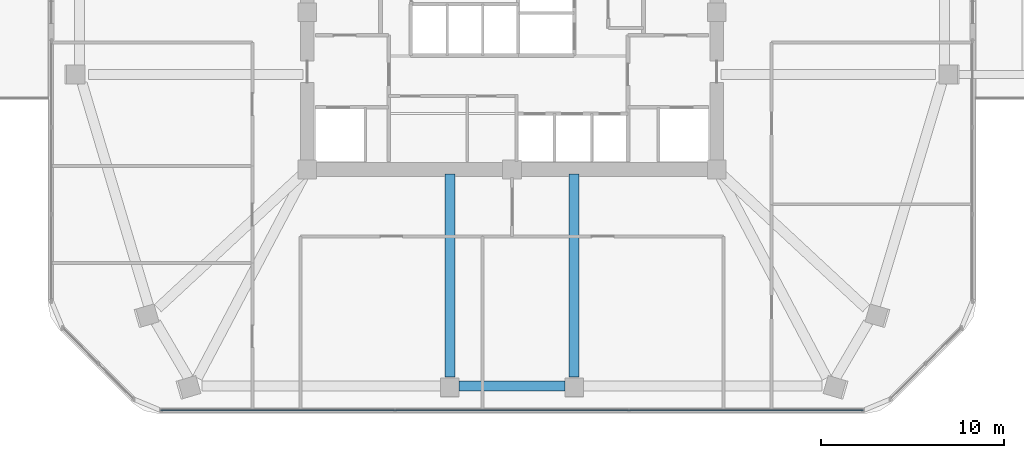
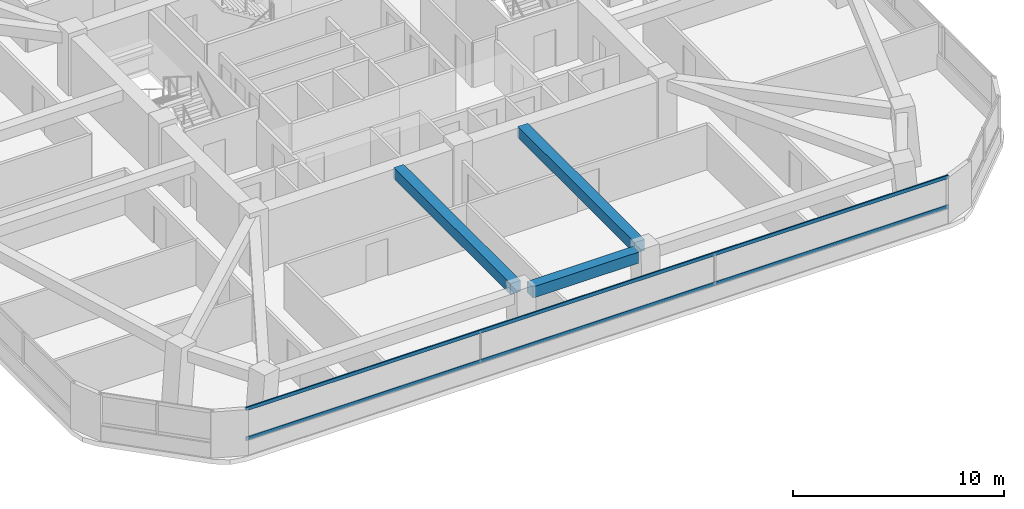
# One storey, part 3 of 14: 3 beams, 2 members, 1 element without a shape of its own.
"""IFC4 building model written with IfcOpenShell, lengths in metres."""

from ifc_helpers import new_model, si_unit, derived_unit, direction, frame, origin, origin_2d, place, context, subcontext, project, spatial, rectangle, extrude, material, material_profile, profile_set, type_object, element, aggregate, save


model = new_model("IFC4")

# Units and contexts
model_context = context("Model", 3, precision=1e-05, world=origin(), true_north=direction((0.0, 1.0)))
body_context = subcontext(model_context, "Body", "Model", "MODEL_VIEW")
ifc_project = project(units=[si_unit("LENGTHUNIT", "METRE"), si_unit("AREAUNIT", "SQUARE_METRE"), si_unit("VOLUMEUNIT", "CUBIC_METRE"), si_unit("PLANEANGLEUNIT", "RADIAN"), si_unit("MASSUNIT", "GRAM", prefix="KILO"), derived_unit("THERMALTRANSMITTANCEUNIT", [(si_unit("POWERUNIT", "WATT"), 1), (si_unit("LENGTHUNIT", "METRE"), -2), (si_unit("THERMODYNAMICTEMPERATUREUNIT", "KELVIN"), -1)])], contexts=[model_context])

# Site, building, storey
site_placement = place(None, origin())
site = spatial("IfcSite", under=ifc_project, at=site_placement, CompositionType="ELEMENT")
building_placement = place(site_placement, origin())
building = spatial("IfcBuilding", under=site, at=building_placement, Name="Koralith Skygarden Medical Center", CompositionType="ELEMENT")
storey_placement = place(building_placement, frame((0.0, 0.0, 106.3798828125)))
storey = spatial("IfcBuildingStorey", under=building, at=storey_placement, Name="L27", CompositionType="ELEMENT", Elevation=106.3798828125)

# Curtain wall, members
ifc_material_1 = material(Name="Clear Laminated Glass", Category="glass")
curtain_wall_type = type_object("IfcCurtainWallType", Name="CW-3 Zone 2 Faceted Solar Curtain Wall", PredefinedType="NOTDEFINED", material=ifc_material_1)
curtain_wall_placement = place(storey_placement, origin())
curtain_wall = element("IfcCurtainWall", 1, at=curtain_wall_placement, inside=storey, type_object=curtain_wall_type, Name="Curtain Wall CW-L27-S", PredefinedType="NOTDEFINED")
ifc_material_2 = material(Name="Aluminium 6063-T6", Category="aluminium")
ifc_material_profile_1 = material_profile(ifc_material_2, rectangle(XDim=0.069091796875, YDim=0.197998046875, at=origin_2d()), Name="TRN69X198")
ifc_profile_set_1 = profile_set([ifc_material_profile_1], Name="Aluminium 6063-T6")
member_type = type_object("IfcMemberType", Name="CW-3 Thermal Transom 69x198", PredefinedType="USERDEFINED", material=ifc_profile_set_1)
member_1_placement = place(storey_placement, frame((17.76708984375, 4.1220703125, 0.900146484375), z_axis=(1.0, 0.0, 0.0), x_axis=(0.0, 1.0, 0.0)))
member_1 = element("IfcMember", 2, at=member_1_placement, type_object=member_type, Name="CW-L27-S Transom 1", ObjectType="TRANSOM", PredefinedType="USERDEFINED", context=body_context, shape_type="SweptSolid", body=[
    extrude(rectangle(XDim=0.069091796875, YDim=0.197998046875, at=origin_2d()), origin(), (0.0, 0.0, 1.0), 38.4658203125),
])
member_2_placement = place(storey_placement, frame((17.76708984375, 4.1220703125, 2.6201171875), z_axis=(1.0, 0.0, 0.0), x_axis=(0.0, 1.0, 0.0)))
member_2 = element("IfcMember", 3, at=member_2_placement, type_object=member_type, Name="CW-L27-S Transom 2", ObjectType="TRANSOM", PredefinedType="USERDEFINED", context=body_context, shape_type="SweptSolid", body=[
    extrude(rectangle(XDim=0.069091796875, YDim=0.197998046875, at=origin_2d()), origin(), (0.0, 0.0, 1.0), 38.4658203125),
])
aggregate(curtain_wall, [member_1, member_2])

# Beams
ifc_material_3 = material(Name="Concrete C45/55", Category="concrete")
ifc_material_profile_2 = material_profile(ifc_material_3, rectangle(XDim=0.550048828125, YDim=0.639892578125, at=origin_2d()), Name="RCB550X640")
ifc_profile_set_2 = profile_set([ifc_material_profile_2], Name="Concrete C45/55")
beam_type_1 = type_object("IfcBeamType", Name="Radial Collector Beam RCB550X640", PredefinedType="BEAM", material=ifc_profile_set_2)
for number, where, z_axis, x_axis, name in (
    (4, (33.60009765625, 17.050048828125, 3.0), (0.0, -1.0, 0.0), (1.0, 0.0, 0.0), "L27 Radial Collector Beam RB-04"),
    (5, (40.39990234375, 17.050048828125, 3.0), (0.0, -1.0, 0.0), (1.0, 0.0, 0.0), "L27 Radial Collector Beam RB-05"),
):
    element("IfcBeam", number, at=place(storey_placement, frame(where, z_axis=z_axis, x_axis=x_axis)), inside=storey, type_object=beam_type_1, Name=name, PredefinedType="BEAM", context=body_context, shape_type="SweptSolid", body=[
        extrude(rectangle(XDim=0.550048828125, YDim=0.639892578125, at=origin_2d()), origin(), (0.0, 0.0, 1.0), 11.09912109375),
    ])
ifc_material_profile_3 = material_profile(ifc_material_3, rectangle(XDim=0.550048828125, YDim=0.639892578125, at=origin_2d()), Name="RCB550X640")
ifc_profile_set_3 = profile_set([ifc_material_profile_3], Name="Concrete C45/55")
beam_type_2 = type_object("IfcBeamType", Name="Zone 2-3 Spandrel Beam RCB550X640", PredefinedType="SPANDREL", material=ifc_profile_set_3)
beam_placement = place(storey_placement, frame((34.10009765625, 5.450927734375, 3.0), z_axis=(1.0, 0.0, 0.0), x_axis=(0.0, 1.0, 0.0)))
element("IfcBeam", 6, at=beam_placement, inside=storey, type_object=beam_type_2, Name="L27 Perimeter Spandrel Beam SP-04", PredefinedType="SPANDREL", context=body_context, shape_type="SweptSolid", body=[
    extrude(rectangle(XDim=0.550048828125, YDim=0.639892578125, at=origin_2d()), origin(), (0.0, 0.0, 1.0), 5.7998046875),
])

save(model, "model.ifc")
